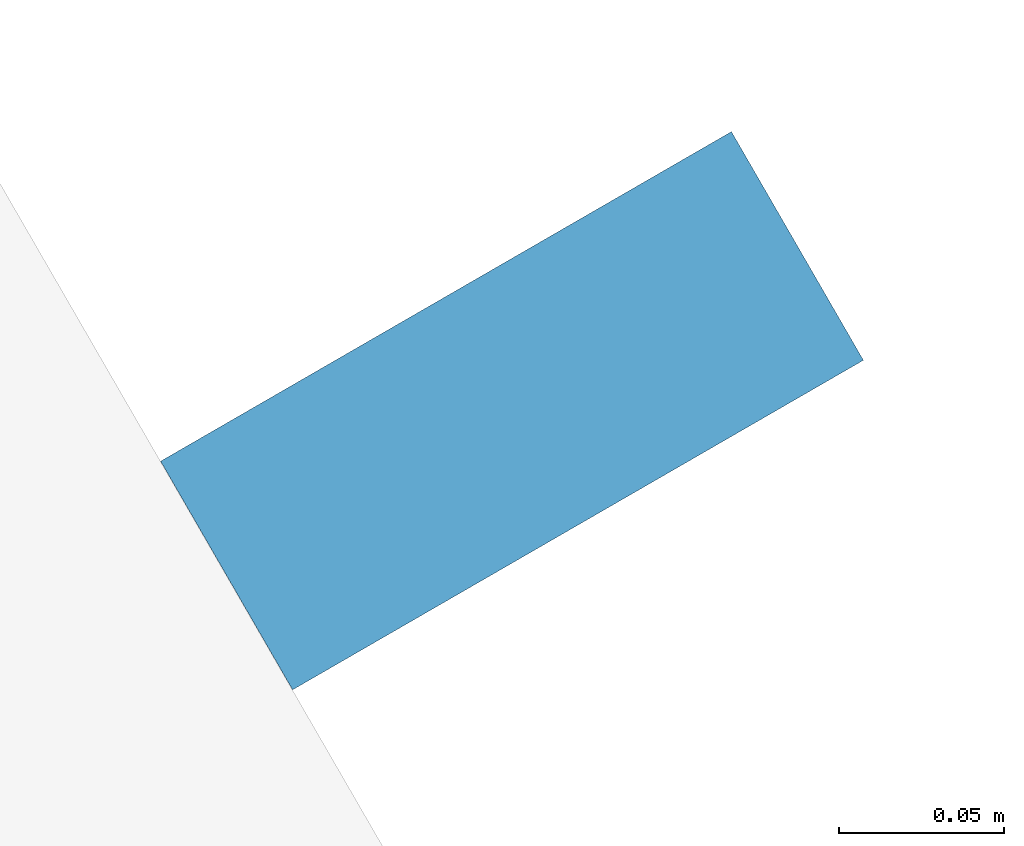
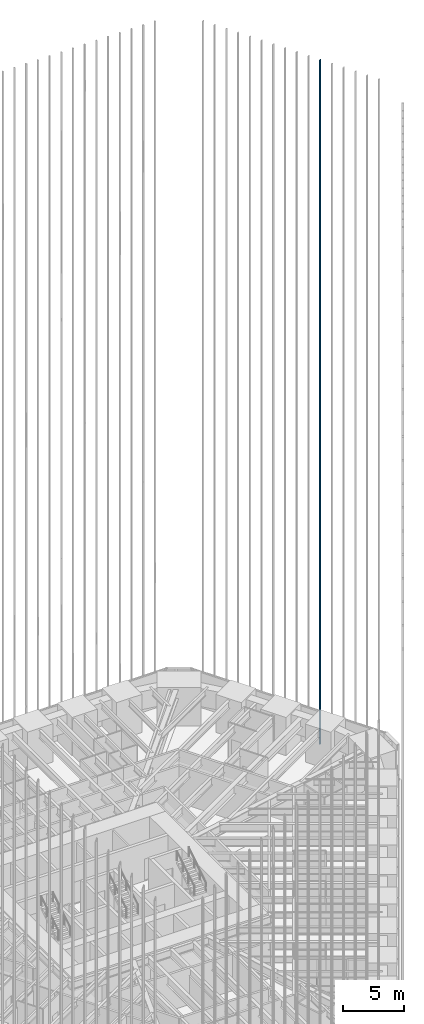
# One storey, part 207 of 256: 1 member, 1 element without a shape of its own.
"""IFC4 building model written with IfcOpenShell, lengths in metres."""

from ifc_helpers import new_model, si_unit, direction, frame, origin, origin_2d, place, context, subcontext, project, spatial, rectangle, extrude, material, material_profile, profile_set, type_object, element, aggregate, save


model = new_model("IFC4")

# Units and contexts
model_context = context("Model", 3, precision=1e-05, world=origin(), true_north=direction((0.0, 1.0)))
body_context = subcontext(model_context, "Body", "Model", "MODEL_VIEW")
ifc_project = project(units=[si_unit("LENGTHUNIT", "METRE"), si_unit("AREAUNIT", "SQUARE_METRE"), si_unit("VOLUMEUNIT", "CUBIC_METRE"), si_unit("PLANEANGLEUNIT", "RADIAN"), si_unit("MASSUNIT", "GRAM", prefix="KILO")], contexts=[model_context])

# Site, building, storey
site_placement = place(None, origin())
site = spatial("IfcSite", under=ifc_project, at=site_placement, CompositionType="ELEMENT")
building_placement = place(site_placement, origin())
building = spatial("IfcBuilding", under=site, at=building_placement, Name="Sandreach Pilgrim Tower", CompositionType="ELEMENT")
storey_placement = place(building_placement, frame((0.0, 0.0, 23.0)))
storey = spatial("IfcBuildingStorey", under=building, at=storey_placement, Name="L04", CompositionType="ELEMENT", Elevation=23.0)

# Curtain wall, member
ifc_material_1 = material(Name="Aluminium framed curtain wall", Category="aluminium")
curtain_wall_type = type_object("IfcCurtainWallType", Name="Hostel tower curtain wall", PredefinedType="NOTDEFINED", material=ifc_material_1)
curtain_wall_placement = place(storey_placement, origin())
curtain_wall = element("IfcCurtainWall", 1, at=curtain_wall_placement, inside=storey, type_object=curtain_wall_type, Name="CW-1 L04 NE", PredefinedType="NOTDEFINED")
ifc_material_2 = material(Name="Extruded terracotta on aluminium core", Category="masonry")
ifc_material_profile = material_profile(ifc_material_2, rectangle(XDim=0.080078125, YDim=0.199951171875, at=origin_2d()), Name="TBE 80X200")
ifc_profile_set = profile_set([ifc_material_profile], Name="Extruded terracotta on aluminium core")
member_type = type_object("IfcMemberType", Name="Terracotta baguette east", PredefinedType="USERDEFINED", material=ifc_profile_set)
member_placement = place(storey_placement, frame((27.719482421875, 12.810302734375, 0.0), z_axis=(0.0, 0.0, 1.0), x_axis=(0.5, -0.866025403784, 0.0)))
member = element("IfcMember", 2, at=member_placement, type_object=member_type, Name="Baguette Z1 NE11", ObjectType="BAGUETTE", PredefinedType="USERDEFINED", context=body_context, shape_type="SweptSolid", body=[
    extrude(rectangle(XDim=0.080078125, YDim=0.199951171875, at=origin_2d()), origin(), (0.0, 0.0, 1.0), 68.239990234375),
])
aggregate(curtain_wall, [member])

save(model, "model.ifc")
